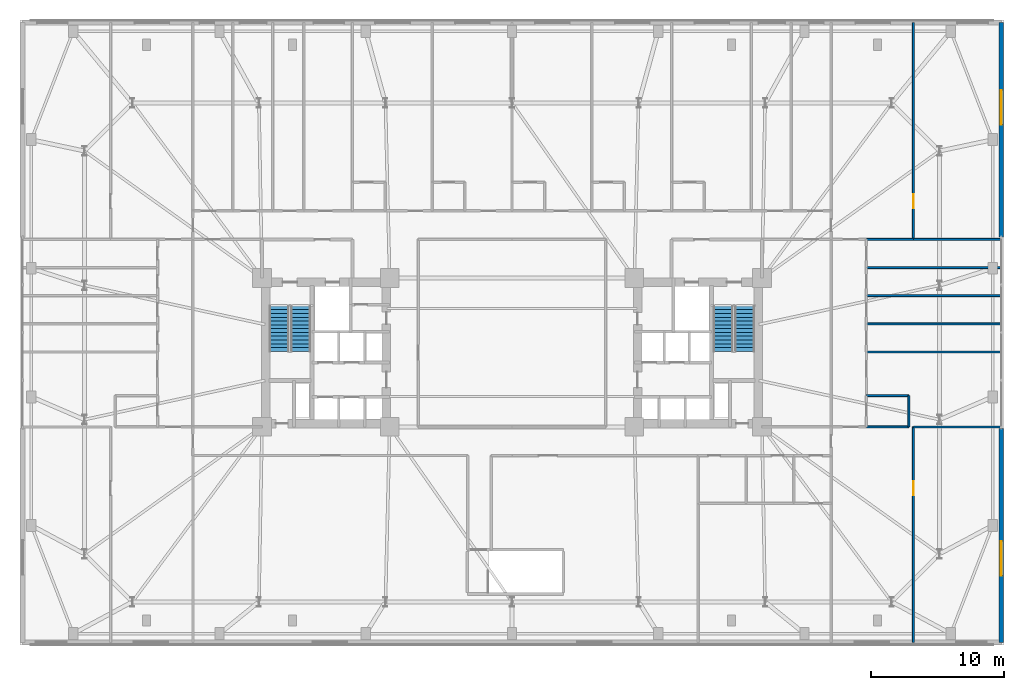
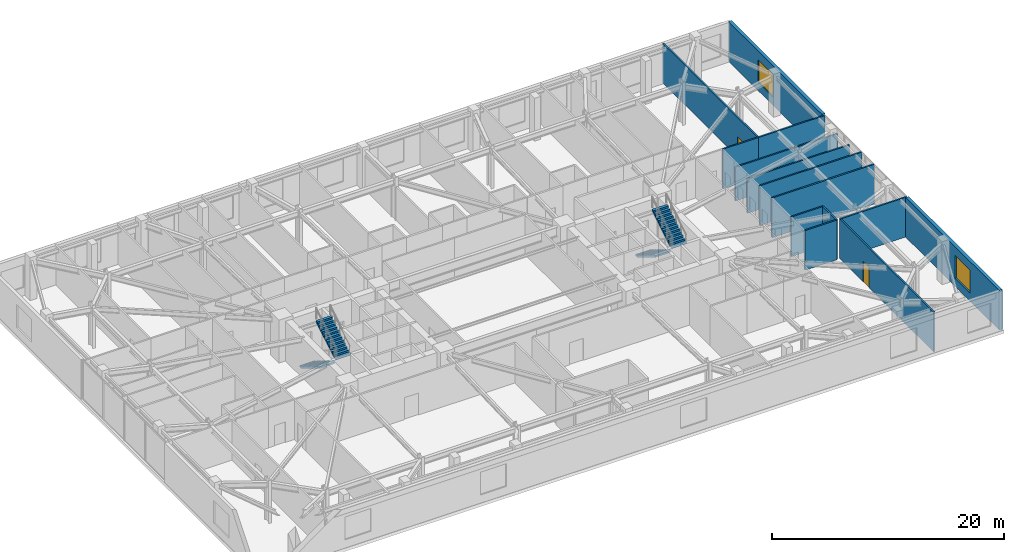
# One storey, part 17 of 21: 14 walls, 4 stair flights, 2 doors, 2 windows, 4 openings, 2 elements without a shape of their own.
"""IFC4 building model written with IfcOpenShell, lengths in metres."""

from ifc_helpers import new_model, si_unit, direction, frame, frame_2d, origin, place, context, subcontext, project, spatial, polyline, rectangle, outline, extrude, material, layer, layer_set, type_object, element, fill, aggregate, save


model = new_model("IFC4")

# Units and contexts
model_context = context("Model", 3, precision=1e-05, world=origin(), true_north=direction((0.0, 1.0)))
body_context = subcontext(model_context, "Body", "Model", "MODEL_VIEW")
ifc_project = project(units=[si_unit("LENGTHUNIT", "METRE"), si_unit("AREAUNIT", "SQUARE_METRE"), si_unit("VOLUMEUNIT", "CUBIC_METRE"), si_unit("PLANEANGLEUNIT", "RADIAN"), si_unit("MASSUNIT", "GRAM", prefix="KILO")], contexts=[model_context])

# Site, building, storey
site_placement = place(None, origin())
site = spatial("IfcSite", under=ifc_project, at=site_placement, CompositionType="ELEMENT")
building_placement = place(site_placement, origin())
building = spatial("IfcBuilding", under=site, at=building_placement, Name="Qobustan Lattice House", CompositionType="ELEMENT")
storey_placement = place(building_placement, frame((0.0, 0.0, 22.5)))
storey = spatial("IfcBuildingStorey", under=building, at=storey_placement, Name="L05", CompositionType="ELEMENT", Elevation=22.5)

# Wall, opening, window
ifc_material_1 = material(Name="Precast concrete C40/50", Category="concrete")
ifc_layer_1 = layer(ifc_material_1, 0.320068359375)
ifc_layer_set_1 = layer_set([ifc_layer_1], Name="Precast concrete C40/50")
wall_type_1 = type_object("IfcWallType", Name="WAL-EXT-STONE-320", PredefinedType="SOLIDWALL", material=ifc_layer_set_1)
wall_1_placement = place(storey_placement, frame((36.800048828125, 24.800048828125, 0.0), z_axis=(0.0, 0.0, 1.0), x_axis=(0.0, -1.0, 0.0)))
wall_1 = element("IfcWall", 1, at=wall_1_placement, inside=storey, type_object=wall_type_1, Name="L05 podium stone wall 3A", PredefinedType="SOLIDWALL", context=body_context, shape_type="SweptSolid", body=[
    extrude(rectangle(XDim=16.10009765625, YDim=0.320068359375, at=frame_2d((8.050048828125, 0.0))), origin(), (0.0, 0.0, 1.0), 4.159912109375),
])
opening_1_placement = place(wall_1_placement, frame((5.0673828125, 0.0, 0.85009765625)))
opening_1 = element("IfcOpeningElement", 2, at=opening_1_placement, cuts=wall_1, Name="Opening WN-06", PredefinedType="OPENING", context=body_context, shape_type="SweptSolid", body=[
    extrude(rectangle(XDim=2.60009765625, YDim=2.39990234375, at=frame_2d((1.300048828125, 1.199951171875))), frame((0.0, 0.169921875, 0.0), z_axis=(0.0, -1.0, 0.0), x_axis=(1.0, 0.0, 0.0)), (0.0, 0.0, 1.0), 0.340087890625),
])
ifc_material_2 = material(Name="Double-glazed low-E aluminium window", Category="aluminium")
window_type = type_object("IfcWindowType", Name="WIN-POD-2600x2400", PartitioningType="SINGLE_PANEL", PredefinedType="WINDOW", material=ifc_material_2)
window_1_placement = place(opening_1_placement, origin())
window_1 = element("IfcWindow", 3, at=window_1_placement, inside=storey, type_object=window_type, Name="L05 Collaborative study room L05EN window", OverallHeight=2.39990234375, OverallWidth=2.60009765625, PartitioningType="SINGLE_PANEL", PredefinedType="WINDOW", context=body_context, shape_type="SweptSolid", body=[
    extrude(rectangle(XDim=2.60009765625, YDim=2.39990234375, at=frame_2d((1.300048828125, 1.199951171875))), frame((0.0, 0.030029296875, 0.0), z_axis=(0.0, -1.0, 0.0), x_axis=(1.0, 0.0, 0.0)), (0.0, 0.0, 1.0), 0.06005859375),
])
fill(opening_1, window_1)

wall_2_placement = place(storey_placement, frame((36.800048828125, -5.699951171875, 0.0), z_axis=(0.0, 0.0, 1.0), x_axis=(0.0, -1.0, 0.0)))
wall_2 = element("IfcWall", 4, at=wall_2_placement, inside=storey, type_object=wall_type_1, Name="L05 podium stone wall 3B", PredefinedType="SOLIDWALL", context=body_context, shape_type="SweptSolid", body=[
    extrude(rectangle(XDim=16.10009765625, YDim=0.320068359375, at=frame_2d((8.050048828125, 0.0))), origin(), (0.0, 0.0, 1.0), 4.159912109375),
])
opening_2_placement = place(wall_2_placement, frame((8.484619140625, 0.0, 0.85009765625)))
opening_2 = element("IfcOpeningElement", 5, at=opening_2_placement, cuts=wall_2, Name="Opening WN-06", PredefinedType="OPENING", context=body_context, shape_type="SweptSolid", body=[
    extrude(rectangle(XDim=2.60009765625, YDim=2.39990234375, at=frame_2d((1.300048828125, 1.199951171875))), frame((0.0, 0.169921875, 0.0), z_axis=(0.0, -1.0, 0.0), x_axis=(1.0, 0.0, 0.0)), (0.0, 0.0, 1.0), 0.340087890625),
])
window_2_placement = place(opening_2_placement, origin())
window_2 = element("IfcWindow", 6, at=window_2_placement, inside=storey, type_object=window_type, Name="L05 Collaborative study room L05ES window", OverallHeight=2.39990234375, OverallWidth=2.60009765625, PartitioningType="SINGLE_PANEL", PredefinedType="WINDOW", context=body_context, shape_type="SweptSolid", body=[
    extrude(rectangle(XDim=2.60009765625, YDim=2.39990234375, at=frame_2d((1.300048828125, 1.199951171875))), frame((0.0, 0.030029296875, 0.0), z_axis=(0.0, -1.0, 0.0), x_axis=(1.0, 0.0, 0.0)), (0.0, 0.0, 1.0), 0.06005859375),
])
fill(opening_2, window_2)

# Wall, opening, door
ifc_material_3 = material(Name="Acoustic twin-stud gypsum partition", Category="gypsum")
ifc_layer_2 = layer(ifc_material_3, 0.14990234375)
ifc_layer_set_2 = layer_set([ifc_layer_2], Name="Acoustic twin-stud gypsum partition")
wall_type_2 = type_object("IfcWallType", Name="WAL-PART-150", PredefinedType="PARTITIONING", material=ifc_layer_set_2)
wall_3_placement = place(storey_placement, frame((30.18994140625, 24.800048828125, 0.0), z_axis=(0.0, 0.0, 1.0), x_axis=(0.0, -1.0, 0.0)))
wall_3 = element("IfcWall", 7, at=wall_3_placement, inside=storey, type_object=wall_type_2, Name="L05 interior partition 107", PredefinedType="PARTITIONING", context=body_context, shape_type="SweptSolid", body=[
    extrude(rectangle(XDim=16.300048828125, YDim=0.14990234375, at=frame_2d((8.14990234375, 0.0))), origin(), (0.0, 0.0, 1.0), 4.159912109375),
])
opening_3_placement = place(wall_3_placement, frame((12.90869140625, 0.0, 0.0)))
opening_3 = element("IfcOpeningElement", 8, at=opening_3_placement, cuts=wall_3, Name="Opening ID-02", PredefinedType="OPENING", context=body_context, shape_type="SweptSolid", body=[
    extrude(rectangle(XDim=1.050048828125, YDim=2.14990234375, at=frame_2d((0.52490234375, 1.074951171875))), frame((0.0, 0.0849609375, 0.0), z_axis=(0.0, -1.0, 0.0), x_axis=(1.0, 0.0, 0.0)), (0.0, 0.0, 1.0), 0.169921875),
])
ifc_material_4 = material(Name="Persian walnut timber and steel frame door", Category="steel")
door_type = type_object("IfcDoorType", Name="DOR-STUDY-1050x2150", OperationType="NOTDEFINED", PredefinedType="DOOR", material=ifc_material_4)
door_1_placement = place(opening_3_placement, origin())
door_1 = element("IfcDoor", 9, at=door_1_placement, inside=storey, type_object=door_type, Name="L05 Reading seminar room L05EN to Collaborative study room L05EN door", OperationType="SINGLE_SWING_RIGHT", OverallHeight=2.14990234375, OverallWidth=1.050048828125, PredefinedType="DOOR", context=body_context, shape_type="SweptSolid", body=[
    extrude(rectangle(XDim=1.050048828125, YDim=2.14990234375, at=frame_2d((0.52490234375, 1.074951171875))), frame((0.0, 0.02490234375, 0.0), z_axis=(0.0, -1.0, 0.0), x_axis=(1.0, 0.0, 0.0)), (0.0, 0.0, 1.0), 0.050048828125),
])
fill(opening_3, door_1)

# Walls
wall_4_placement = place(storey_placement, frame((30.18994140625, 8.5, 0.0), z_axis=(0.0, 0.0, 1.0), x_axis=(-1.0, 0.0, 0.0)))
element("IfcWall", 10, at=wall_4_placement, inside=storey, type_object=wall_type_2, Name="L05 interior partition 108", PredefinedType="PARTITIONING", context=body_context, shape_type="SweptSolid", body=[
    extrude(rectangle(XDim=3.5400390625, YDim=0.14990234375, at=frame_2d((1.77001953125, 0.0))), origin(), (0.0, 0.0, 1.0), 4.159912109375),
])
wall_5_placement = place(storey_placement, frame((36.800048828125, 8.5, 0.0), z_axis=(0.0, 0.0, 1.0), x_axis=(-1.0, 0.0, 0.0)))
element("IfcWall", 11, at=wall_5_placement, inside=storey, type_object=wall_type_2, Name="L05 interior partition 110", PredefinedType="PARTITIONING", context=body_context, shape_type="SweptSolid", body=[
    extrude(rectangle(XDim=6.610107421875, YDim=0.14990234375, at=frame_2d((3.30517578125, 0.0))), origin(), (0.0, 0.0, 1.0), 4.159912109375),
])

# Wall, opening, door
wall_6_placement = place(storey_placement, frame((30.18994140625, -5.60009765625, 0.0), z_axis=(0.0, 0.0, 1.0), x_axis=(0.0, -1.0, 0.0)))
wall_6 = element("IfcWall", 12, at=wall_6_placement, inside=storey, type_object=wall_type_2, Name="L05 interior partition 111", PredefinedType="PARTITIONING", context=body_context, shape_type="SweptSolid", body=[
    extrude(rectangle(XDim=16.199951171875, YDim=0.14990234375, at=frame_2d((8.10009765625, 0.0))), origin(), (0.0, 0.0, 1.0), 4.159912109375),
])
opening_4_placement = place(wall_6_placement, frame((4.077392578125, 0.0, 0.0)))
opening_4 = element("IfcOpeningElement", 13, at=opening_4_placement, cuts=wall_6, Name="Opening ID-02", PredefinedType="OPENING", context=body_context, shape_type="SweptSolid", body=[
    extrude(rectangle(XDim=1.050048828125, YDim=2.14990234375, at=frame_2d((0.52490234375, 1.074951171875))), frame((0.0, 0.0849609375, 0.0), z_axis=(0.0, -1.0, 0.0), x_axis=(1.0, 0.0, 0.0)), (0.0, 0.0, 1.0), 0.169921875),
])
door_2_placement = place(opening_4_placement, origin())
door_2 = element("IfcDoor", 14, at=door_2_placement, inside=storey, type_object=door_type, Name="L05 Reading seminar room L05ES to Collaborative study room L05ES door", OperationType="SINGLE_SWING_LEFT", OverallHeight=2.14990234375, OverallWidth=1.050048828125, PredefinedType="DOOR", context=body_context, shape_type="SweptSolid", body=[
    extrude(rectangle(XDim=1.050048828125, YDim=2.14990234375, at=frame_2d((0.52490234375, 1.074951171875))), frame((0.0, 0.02490234375, 0.0), z_axis=(0.0, -1.0, 0.0), x_axis=(1.0, 0.0, 0.0)), (0.0, 0.0, 1.0), 0.050048828125),
])
fill(opening_4, door_2)

# Walls
wall_7_placement = place(storey_placement, frame((26.64990234375, 2.155029296875, 0.0), z_axis=(0.0, 0.0, 1.0), x_axis=(1.0, 0.0, 0.0)))
element("IfcWall", 15, at=wall_7_placement, inside=storey, type_object=wall_type_2, Name="L05 interior partition 119", PredefinedType="PARTITIONING", context=body_context, shape_type="SweptSolid", body=[
    extrude(rectangle(XDim=10.150146484375, YDim=0.14990234375, at=frame_2d((5.0751953125, 0.0))), origin(), (0.0, 0.0, 1.0), 4.159912109375),
])
wall_8_placement = place(storey_placement, frame((26.64990234375, 4.27001953125, 0.0), z_axis=(0.0, 0.0, 1.0), x_axis=(1.0, 0.0, 0.0)))
element("IfcWall", 16, at=wall_8_placement, inside=storey, type_object=wall_type_2, Name="L05 interior partition 120", PredefinedType="PARTITIONING", context=body_context, shape_type="SweptSolid", body=[
    extrude(rectangle(XDim=10.150146484375, YDim=0.14990234375, at=frame_2d((5.0751953125, 0.0))), origin(), (0.0, 0.0, 1.0), 3.64501953125),
])
wall_9_placement = place(storey_placement, frame((26.64990234375, 6.385009765625, 0.0), z_axis=(0.0, 0.0, 1.0), x_axis=(1.0, 0.0, 0.0)))
element("IfcWall", 17, at=wall_9_placement, inside=storey, type_object=wall_type_2, Name="L05 interior partition 121", PredefinedType="PARTITIONING", context=body_context, shape_type="SweptSolid", body=[
    extrude(rectangle(XDim=10.150146484375, YDim=0.14990234375, at=frame_2d((5.0751953125, 0.0))), origin(), (0.0, 0.0, 1.0), 3.544921875),
])
ifc_material_5 = material(Name="High-mass acoustic twin-stud partition", Category="gypsum")
ifc_layer_3 = layer(ifc_material_5, 0.1650390625)
ifc_layer_set_3 = layer_set([ifc_layer_3], Name="High-mass acoustic twin-stud partition")
wall_type_3 = type_object("IfcWallType", Name="WAL-PART-165", PredefinedType="PARTITIONING", material=ifc_layer_set_3)
wall_10_placement = place(storey_placement, frame((30.18994140625, -5.60009765625, 0.0), z_axis=(0.0, 0.0, 1.0), x_axis=(1.0, 0.0, 0.0)))
element("IfcWall", 18, at=wall_10_placement, inside=storey, type_object=wall_type_3, Name="L05 interior partition 115", PredefinedType="PARTITIONING", context=body_context, shape_type="SweptSolid", body=[
    extrude(rectangle(XDim=6.610107421875, YDim=0.1650390625, at=frame_2d((3.30517578125, 0.0))), origin(), (0.0, 0.0, 1.0), 4.159912109375),
])
wall_11_placement = place(storey_placement, frame((26.64990234375, 0.0400390625, 0.0), z_axis=(0.0, 0.0, 1.0), x_axis=(1.0, 0.0, 0.0)))
element("IfcWall", 19, at=wall_11_placement, inside=storey, type_object=wall_type_3, Name="L05 interior partition 118", PredefinedType="PARTITIONING", context=body_context, shape_type="SweptSolid", body=[
    extrude(rectangle(XDim=10.150146484375, YDim=0.1650390625, at=frame_2d((5.0751953125, 0.0))), origin(), (0.0, 0.0, 1.0), 4.159912109375),
])
ifc_material_6 = material(Name="Moisture-resistant acoustic plumbing wall", Category="gypsum")
ifc_layer_4 = layer(ifc_material_6, 0.14990234375)
ifc_layer_set_4 = layer_set([ifc_layer_4], Name="Moisture-resistant acoustic plumbing wall")
wall_type_4 = type_object("IfcWallType", Name="WAL-WET-150", PredefinedType="PLUMBINGWALL", material=ifc_layer_set_4)
for number, where, z_axis, x_axis, name in (
    (20, (26.64990234375, -5.60009765625, 0.0), (0.0, 0.0, 1.0), (1.0, 0.0, 0.0), "L05 interior partition 112"),
    (21, (26.64990234375, -3.25, 0.0), (0.0, 0.0, 1.0), (1.0, 0.0, 0.0), "L05 interior partition 116"),
):
    element("IfcWall", number, at=place(storey_placement, frame(where, z_axis=z_axis, x_axis=x_axis)), inside=storey, type_object=wall_type_4, Name=name, PredefinedType="PLUMBINGWALL", context=body_context, shape_type="SweptSolid", body=[
        extrude(rectangle(XDim=3.2001953125, YDim=0.14990234375, at=frame_2d((1.60009765625, 0.0))), origin(), (0.0, 0.0, 1.0), 4.159912109375),
    ])
wall_12_placement = place(storey_placement, frame((29.85009765625, -3.25, 0.0), z_axis=(0.0, 0.0, 1.0), x_axis=(0.0, -1.0, 0.0)))
element("IfcWall", 22, at=wall_12_placement, inside=storey, type_object=wall_type_4, Name="L05 interior partition 117", PredefinedType="PLUMBINGWALL", context=body_context, shape_type="SweptSolid", body=[
    extrude(rectangle(XDim=2.35009765625, YDim=0.14990234375, at=frame_2d((1.175048828125, 0.0))), origin(), (0.0, 0.0, 1.0), 4.159912109375),
])

# Stair, stair flights
ifc_material_7 = material(Name="Concrete C40/50", Category="concrete")
stair_type = type_object("IfcStairType", Name="STR-CORE-DOGLEG", PredefinedType="HALF_TURN_STAIR", material=ifc_material_7)
stair_1_placement = place(storey_placement, origin())
stair_1 = element("IfcStair", 23, at=stair_1_placement, inside=storey, type_object=stair_type, Name="L05 West protected exit stair ST-W1", PredefinedType="HALF_TURN_STAIR")
ifc_material_8 = material(Name="Concrete C40/50", Category="concrete")
stair_flight_type = type_object("IfcStairFlightType", Name="SFL-RC-1500", PredefinedType="STRAIGHT", material=ifc_material_8)
stair_flight_1_placement = place(storey_placement, frame((-17.5, 3.5, 0.0), z_axis=(0.0, 0.0, 1.0), x_axis=(0.0, -1.0, 0.0)))
stair_flight_1 = element("IfcStairFlight", 24, at=stair_flight_1_placement, type_object=stair_flight_type, Name="ST-W1 flight 1", NumberOfRisers=13, NumberOfTreads=12, PredefinedType="STRAIGHT", RiserHeight=0.173076923, TreadLength=0.285, context=body_context, shape_type="SweptSolid", body=[
    extrude(outline(polyline([(0.0, 0.0), (0.0, 0.173095703125), (0.284912109375, 0.173095703125), (0.284912109375, 0.34619140625), (0.570068359375, 0.34619140625), (0.570068359375, 0.519287109375), (0.85498046875, 0.519287109375), (0.85498046875, 0.6923828125), (1.139892578125, 0.6923828125), (1.139892578125, 0.865478515625), (1.425048828125, 0.865478515625), (1.425048828125, 1.03857421875), (1.7099609375, 1.03857421875), (1.7099609375, 1.21142578125), (1.9951171875, 1.21142578125), (1.9951171875, 1.384521484375), (2.280029296875, 1.384521484375), (2.280029296875, 1.5576171875), (2.56494140625, 1.5576171875), (2.56494140625, 1.730712890625), (2.85009765625, 1.730712890625), (2.85009765625, 1.90380859375), (3.135009765625, 1.90380859375), (3.135009765625, 2.076904296875), (3.419921875, 2.076904296875), (3.419921875, 2.25), (3.419921875, 1.901611328125), (0.288818359375, 0.0), (0.0, 0.0)])), frame((0.0, 0.75, 0.0), z_axis=(0.0, -1.0, 0.0), x_axis=(1.0, 0.0, 0.0)), (0.0, 0.0, 1.0), 1.5),
])
stair_flight_2_placement = place(storey_placement, frame((-15.8798828125, 0.080078125, 2.25), z_axis=(0.0, 0.0, 1.0), x_axis=(0.0, 1.0, 0.0)))
stair_flight_2 = element("IfcStairFlight", 25, at=stair_flight_2_placement, type_object=stair_flight_type, Name="ST-W1 flight 2", NumberOfRisers=13, NumberOfTreads=12, PredefinedType="STRAIGHT", RiserHeight=0.173076923, TreadLength=0.285, context=body_context, shape_type="SweptSolid", body=[
    extrude(outline(polyline([(0.0, 0.0), (0.0, 0.173095703125), (0.284912109375, 0.173095703125), (0.284912109375, 0.34619140625), (0.570068359375, 0.34619140625), (0.570068359375, 0.519287109375), (0.85498046875, 0.519287109375), (0.85498046875, 0.6923828125), (1.139892578125, 0.6923828125), (1.139892578125, 0.865478515625), (1.425048828125, 0.865478515625), (1.425048828125, 1.03857421875), (1.7099609375, 1.03857421875), (1.7099609375, 1.21142578125), (1.9951171875, 1.21142578125), (1.9951171875, 1.384521484375), (2.280029296875, 1.384521484375), (2.280029296875, 1.5576171875), (2.56494140625, 1.5576171875), (2.56494140625, 1.730712890625), (2.85009765625, 1.730712890625), (2.85009765625, 1.90380859375), (3.135009765625, 1.90380859375), (3.135009765625, 2.076904296875), (3.419921875, 2.076904296875), (3.419921875, 2.25), (3.419921875, 1.901611328125), (0.288818359375, 0.0), (0.0, 0.0)])), frame((0.0, 0.75, 0.0), z_axis=(0.0, -1.0, 0.0), x_axis=(1.0, 0.0, 0.0)), (0.0, 0.0, 1.0), 1.5),
])
aggregate(stair_1, [stair_flight_1, stair_flight_2])

stair_2_placement = place(storey_placement, origin())
stair_2 = element("IfcStair", 26, at=stair_2_placement, inside=storey, type_object=stair_type, Name="L05 East protected exit stair ST-E1", PredefinedType="HALF_TURN_STAIR")
stair_flight_3_placement = place(storey_placement, frame((15.8798828125, 3.5, 0.0), z_axis=(0.0, 0.0, 1.0), x_axis=(0.0, -1.0, 0.0)))
stair_flight_3 = element("IfcStairFlight", 27, at=stair_flight_3_placement, type_object=stair_flight_type, Name="ST-E1 flight 1", NumberOfRisers=13, NumberOfTreads=12, PredefinedType="STRAIGHT", RiserHeight=0.173076923, TreadLength=0.285, context=body_context, shape_type="SweptSolid", body=[
    extrude(outline(polyline([(0.0, 0.0), (0.0, 0.173095703125), (0.284912109375, 0.173095703125), (0.284912109375, 0.34619140625), (0.570068359375, 0.34619140625), (0.570068359375, 0.519287109375), (0.85498046875, 0.519287109375), (0.85498046875, 0.6923828125), (1.139892578125, 0.6923828125), (1.139892578125, 0.865478515625), (1.425048828125, 0.865478515625), (1.425048828125, 1.03857421875), (1.7099609375, 1.03857421875), (1.7099609375, 1.21142578125), (1.9951171875, 1.21142578125), (1.9951171875, 1.384521484375), (2.280029296875, 1.384521484375), (2.280029296875, 1.5576171875), (2.56494140625, 1.5576171875), (2.56494140625, 1.730712890625), (2.85009765625, 1.730712890625), (2.85009765625, 1.90380859375), (3.135009765625, 1.90380859375), (3.135009765625, 2.076904296875), (3.419921875, 2.076904296875), (3.419921875, 2.25), (3.419921875, 1.901611328125), (0.288818359375, 0.0), (0.0, 0.0)])), frame((0.0, 0.75, 0.0), z_axis=(0.0, -1.0, 0.0), x_axis=(1.0, 0.0, 0.0)), (0.0, 0.0, 1.0), 1.5),
])
stair_flight_4_placement = place(storey_placement, frame((17.5, 0.080078125, 2.25), z_axis=(0.0, 0.0, 1.0), x_axis=(0.0, 1.0, 0.0)))
stair_flight_4 = element("IfcStairFlight", 28, at=stair_flight_4_placement, type_object=stair_flight_type, Name="ST-E1 flight 2", NumberOfRisers=13, NumberOfTreads=12, PredefinedType="STRAIGHT", RiserHeight=0.173076923, TreadLength=0.285, context=body_context, shape_type="SweptSolid", body=[
    extrude(outline(polyline([(0.0, 0.0), (0.0, 0.173095703125), (0.284912109375, 0.173095703125), (0.284912109375, 0.34619140625), (0.570068359375, 0.34619140625), (0.570068359375, 0.519287109375), (0.85498046875, 0.519287109375), (0.85498046875, 0.6923828125), (1.139892578125, 0.6923828125), (1.139892578125, 0.865478515625), (1.425048828125, 0.865478515625), (1.425048828125, 1.03857421875), (1.7099609375, 1.03857421875), (1.7099609375, 1.21142578125), (1.9951171875, 1.21142578125), (1.9951171875, 1.384521484375), (2.280029296875, 1.384521484375), (2.280029296875, 1.5576171875), (2.56494140625, 1.5576171875), (2.56494140625, 1.730712890625), (2.85009765625, 1.730712890625), (2.85009765625, 1.90380859375), (3.135009765625, 1.90380859375), (3.135009765625, 2.076904296875), (3.419921875, 2.076904296875), (3.419921875, 2.25), (3.419921875, 1.901611328125), (0.288818359375, 0.0), (0.0, 0.0)])), frame((0.0, 0.75, 0.0), z_axis=(0.0, -1.0, 0.0), x_axis=(1.0, 0.0, 0.0)), (0.0, 0.0, 1.0), 1.5),
])
aggregate(stair_2, [stair_flight_3, stair_flight_4])

save(model, "model.ifc")
